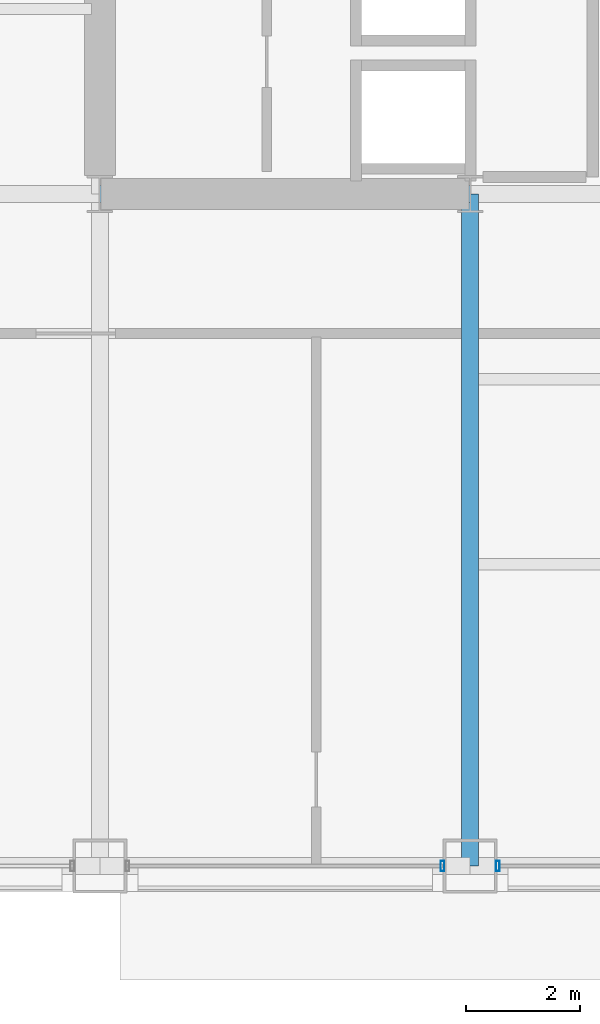
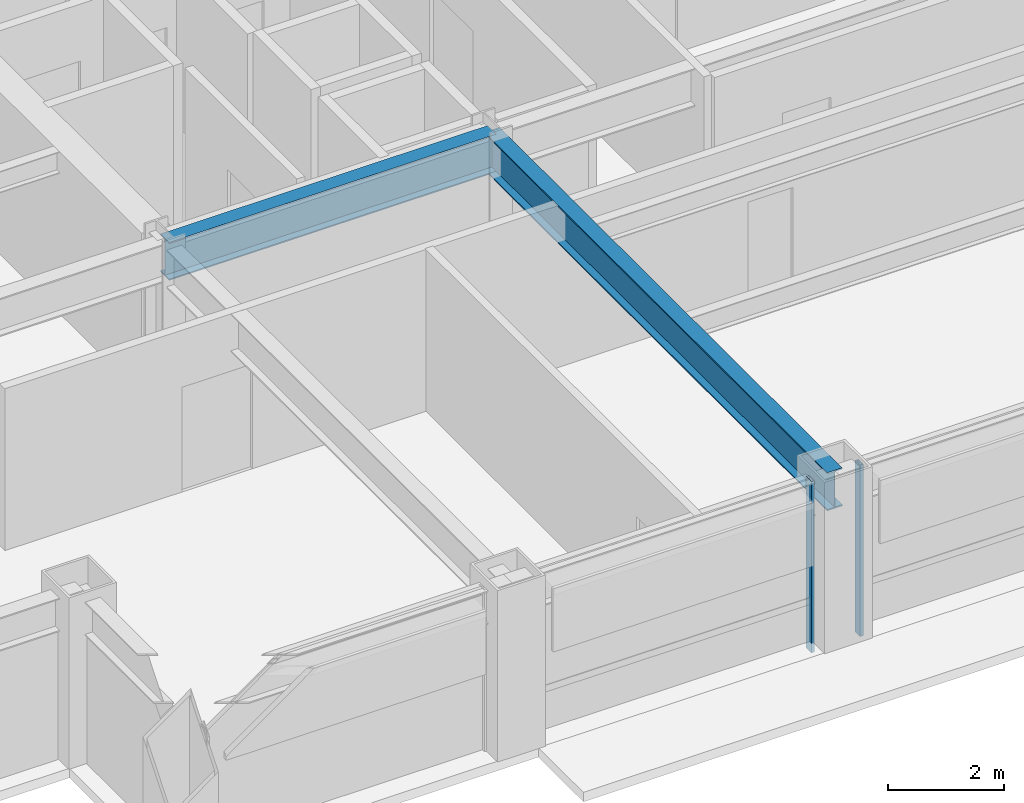
# One storey, part 5 of 28: 2 beams, 2 members, 2 elements without a shape of their own.
"""IFC4 building model written with IfcOpenShell, lengths in metres."""

import ifcopenshell
import ifcopenshell.guid

model = None  # the IFC model being written
_history = None  # IfcOwnerHistory: only IFC2X3 demands one
_inside = {}  # id of a spatial element -> (the spatial element, [elements in it])
_under = {}  # id of a project, library or spatial element -> (it, [spatial elements below it])
_declared = {}  # id of a project -> (the project, [libraries it declares])
_typed = {}  # id of a type object -> (the type object, [elements of that type])
_made_of = {}  # id of a material, layer set ... -> (it, [elements and type objects made of it])


def new_model(schema):
    """Start an empty IFC model of exactly this schema.

    Asked for "IFC4X3", IfcOpenShell would pick the latest addendum, in which some entities
    have other attributes; the version numbers below select the first issue.
    IFC2X3 requires an IfcOwnerHistory on every rooted entity: one is made here for all.
    """
    global model, _history
    if schema == "IFC4X3":
        model = ifcopenshell.file(schema_version=(4, 3, 0, 0))
    else:
        model = ifcopenshell.file(schema=schema)
    _inside.clear()
    _under.clear()
    _declared.clear()
    _typed.clear()
    _made_of.clear()
    _history = None
    if model.schema == "IFC2X3":
        org = make("IfcOrganization", Name="unknown")
        user = make(
            "IfcPersonAndOrganization",
            ThePerson=make("IfcPerson", FamilyName="unknown"),
            TheOrganization=org,
        )
        app = make(
            "IfcApplication",
            ApplicationDeveloper=org,
            Version="unknown",
            ApplicationFullName="unknown",
            ApplicationIdentifier="unknown",
        )
        _history = make(
            "IfcOwnerHistory",
            OwningUser=user,
            OwningApplication=app,
            ChangeAction="ADDED",
            CreationDate=0,
        )
    return model


def make(cls, **values):
    """One entity of the class cls with the attributes given. An attribute that is None is left unset."""
    return model.create_entity(
        cls, **{name: value for name, value in values.items() if value is not None}
    )


def rooted(cls, **values):
    """An entity with a GlobalId (a new one), such as an element, a storey or a relation."""
    return make(cls, GlobalId=ifcopenshell.guid.new(), OwnerHistory=_history, **values)


def si_unit(unit_type, name, prefix=None):
    """IfcSIUnit, for example si_unit("LENGTHUNIT", "METRE", prefix="MILLI")."""
    return make("IfcSIUnit", UnitType=unit_type, Prefix=prefix, Name=name)


def assignment(units):
    """IfcUnitAssignment: the units of a project."""
    return None if units is None else make("IfcUnitAssignment", Units=units)


def point(xyz):
    """IfcCartesianPoint."""
    return None if xyz is None else make("IfcCartesianPoint", Coordinates=xyz)


def direction(xyz):
    """IfcDirection."""
    return None if xyz is None else make("IfcDirection", DirectionRatios=xyz)


def frame(location, z_axis=None, x_axis=None):
    """IfcAxis2Placement3D, a coordinate frame: its origin and axes. An axis left out is left unset."""
    return make(
        "IfcAxis2Placement3D",
        Location=point(location),
        Axis=direction(z_axis),
        RefDirection=direction(x_axis),
    )


def frame_2d(location, x_axis=None):
    """IfcAxis2Placement2D, a coordinate frame in the plane: its origin and x axis."""
    return make(
        "IfcAxis2Placement2D", Location=point(location), RefDirection=direction(x_axis)
    )


def origin():
    """The frame at (0, 0, 0) with its axes left unset."""
    return frame((0.0, 0.0, 0.0))


def origin_2d():
    """The frame at (0, 0) in the plane with its x axis left unset."""
    return frame_2d((0.0, 0.0))


def place(relative_to, where):
    """IfcLocalPlacement: puts the frame where relative to a parent placement (None: the world)."""
    return make(
        "IfcLocalPlacement", PlacementRelTo=relative_to, RelativePlacement=where
    )


def context(
    kind, dimensions, precision=None, world=None, true_north=None, identifier=None
):
    """IfcGeometricRepresentationContext, for example the 3D "Model" context."""
    return make(
        "IfcGeometricRepresentationContext",
        ContextIdentifier=identifier,
        ContextType=kind,
        CoordinateSpaceDimension=dimensions,
        Precision=precision,
        WorldCoordinateSystem=world,
        TrueNorth=true_north,
    )


def subcontext(parent, identifier, kind, view, scale=None):
    """IfcGeometricRepresentationSubContext, for example "Body" below "Model"."""
    return make(
        "IfcGeometricRepresentationSubContext",
        ContextIdentifier=identifier,
        ContextType=kind,
        ParentContext=parent,
        TargetScale=scale,
        TargetView=view,
    )


def project(units=None, contexts=None):
    """IfcProject with its units and contexts."""
    return rooted(
        "IfcProject",
        Name="project",
        RepresentationContexts=contexts,
        UnitsInContext=assignment(units),
    )


def spatial(cls, under=None, at=None, **own):
    """A site, building, storey or space (cls), placed at a placement, below another one or the project."""
    s = rooted(cls, ObjectPlacement=at, **own)
    if under is not None:
        _under.setdefault(under.id(), (under, []))[1].append(s)
    return s


def profile(cls, at=None, kind="AREA", **sizes):
    """A parametric profile (cls). Its sizes go by their IFC names, for example OverallWidth=200.0."""
    return make(cls, ProfileType=kind, Position=at, **sizes)


def hollow_rectangle(**sizes):
    """IfcRectangleHollowProfileDef."""
    return profile("IfcRectangleHollowProfileDef", **sizes)


def i_section(**sizes):
    """IfcIShapeProfileDef."""
    return profile("IfcIShapeProfileDef", **sizes)


def extrude(swept, where, along, depth):
    """IfcExtrudedAreaSolid: the profile swept, set in the frame where, extruded along a direction by depth."""
    return make(
        "IfcExtrudedAreaSolid",
        SweptArea=swept,
        Position=where,
        ExtrudedDirection=direction(along),
        Depth=depth,
    )


def shape(context_of_items, identifier, shape_type, items):
    """IfcShapeRepresentation: the items that make up one representation, for example the "Body"."""
    return make(
        "IfcShapeRepresentation",
        ContextOfItems=context_of_items,
        RepresentationIdentifier=identifier,
        RepresentationType=shape_type,
        Items=items,
    )


def material(Name=None, Category=None):
    """IfcMaterial."""
    return make("IfcMaterial", Name=Name, Category=Category)


def layer(
    of_material, thickness, ventilated=None, Name=None, Category=None, Priority=None
):
    """IfcMaterialLayer: one layer of a wall or slab, of a material (None: an air gap)."""
    return make(
        "IfcMaterialLayer",
        Material=of_material,
        LayerThickness=thickness,
        IsVentilated=ventilated,
        Name=Name,
        Category=Category,
        Priority=Priority,
    )


def layer_set(layers, Name=None):
    """IfcMaterialLayerSet."""
    return make("IfcMaterialLayerSet", MaterialLayers=layers, LayerSetName=Name)


def material_profile(
    of_material, cross_section, Name=None, Category=None, Priority=None
):
    """IfcMaterialProfile: a cross section and its material."""
    return make(
        "IfcMaterialProfile",
        Name=Name,
        Material=of_material,
        Profile=cross_section,
        Priority=Priority,
        Category=Category,
    )


def profile_set(profiles, Name=None, composite=None):
    """IfcMaterialProfileSet."""
    return make(
        "IfcMaterialProfileSet",
        Name=Name,
        MaterialProfiles=profiles,
        CompositeProfile=composite,
    )


def made_of(thing, what):
    """Note that an element or type object is made of a material, layer set ...; save() writes the relation."""
    if what is not None:
        _made_of.setdefault(what.id(), (what, []))[1].append(thing)
    return thing


def type_object(cls, material=None, **own):
    """A type object (cls), such as IfcWallType, which elements share."""
    return made_of(rooted(cls, **own), material)


def element(
    cls,
    number,
    at=None,
    inside=None,
    cuts=None,
    type_object=None,
    material=None,
    context=None,
    identifier="Body",
    shape_type=None,
    held_by="IfcProductDefinitionShape",
    body=None,
    shapes=None,
    **own,
):
    """One element of the class cls, such as IfcWall. Its Tag is "e" and its number.

    at: its placement. inside: the storey or other place that contains it. cuts: it is an
    opening in that element (IfcRelVoidsElement). A single representation is given by context,
    identifier, shape_type and body (its items); several are given by shapes. held_by: the class
    of the entity that holds the representations. save() writes the other relations.
    """
    e = rooted(cls, Tag="e%d" % number, ObjectPlacement=at, **own)
    if body is not None:
        shapes = [shape(context, identifier, shape_type, body)]
    if shapes is not None:
        e.Representation = make(held_by, Representations=shapes)
    if inside is not None:
        _inside.setdefault(inside.id(), (inside, []))[1].append(e)
    if cuts is not None:
        rooted(
            "IfcRelVoidsElement", RelatingBuildingElement=cuts, RelatedOpeningElement=e
        )
    if type_object is not None:
        _typed.setdefault(type_object.id(), (type_object, []))[1].append(e)
    return made_of(e, material)


def aggregate(whole, parts):
    """IfcRelAggregates: a whole, such as a stair, and the parts it consists of."""
    return rooted("IfcRelAggregates", RelatingObject=whole, RelatedObjects=parts)


def save(model, path):
    """Write the relations noted so far, then the file.

    IfcRelAggregates (storeys below a building ...), IfcRelContainedInSpatialStructure (elements
    in a storey), IfcRelDefinesByType, IfcRelAssociatesMaterial and IfcRelDeclares: one each for
    every whole, place, type object, material and project.
    """
    for whole, parts in _under.values():
        aggregate(whole, parts)
    for where, things in _inside.values():
        rooted(
            "IfcRelContainedInSpatialStructure",
            RelatedElements=things,
            RelatingStructure=where,
        )
    for kind, things in _typed.values():
        rooted("IfcRelDefinesByType", RelatedObjects=things, RelatingType=kind)
    for what, things in _made_of.values():
        rooted("IfcRelAssociatesMaterial", RelatedObjects=things, RelatingMaterial=what)
    for by, libraries in _declared.values():
        rooted("IfcRelDeclares", RelatingContext=by, RelatedDefinitions=libraries)
    model.write(path)


model = new_model("IFC4")

# Units and contexts
model_context = context("Model", 3, precision=1e-05, world=origin(), true_north=direction((0.0, 1.0)))
body_context = subcontext(model_context, "Body", "Model", "MODEL_VIEW")
ifc_project = project(units=[si_unit("LENGTHUNIT", "METRE"), si_unit("AREAUNIT", "SQUARE_METRE"), si_unit("VOLUMEUNIT", "CUBIC_METRE"), si_unit("PLANEANGLEUNIT", "RADIAN"), si_unit("MASSUNIT", "GRAM", prefix="KILO")], contexts=[model_context])

# Site, building, storey
site_placement = place(None, origin())
site = spatial("IfcSite", under=ifc_project, at=site_placement, CompositionType="ELEMENT")
building_placement = place(site_placement, origin())
building = spatial("IfcBuilding", under=site, at=building_placement, Name="Brelmoor Portico Tower", CompositionType="ELEMENT")
storey_placement = place(building_placement, frame((0.0, 0.0, 49.199951171875)))
storey = spatial("IfcBuildingStorey", under=building, at=storey_placement, Name="L12", CompositionType="ELEMENT", Elevation=49.199951171875)

# Beams
ifc_material_1 = material(Name="Steel Q355B", Category="steel")
ifc_material_profile_1 = material_profile(ifc_material_1, i_section(OverallWidth=0.300048828125, OverallDepth=0.800048828125, WebThickness=0.013916015625, FlangeThickness=0.02587890625, at=origin_2d()), Name="HN 800x300x14x26")
ifc_profile_set_1 = profile_set([ifc_material_profile_1], Name="Steel Q355B")
beam_type = type_object("IfcBeamType", Name="BM-PG-800", PredefinedType="BEAM", material=ifc_profile_set_1)
beam_1_placement = place(storey_placement, frame((-8.050048828125, -21.550048828125, 3.0), z_axis=(0.0, 1.0, 0.0), x_axis=(-1.0, 0.0, 0.0)))
element("IfcBeam", 1, at=beam_1_placement, inside=storey, type_object=beam_type, Name="L12 Primary Floor Girder PG-07", PredefinedType="BEAM", context=body_context, shape_type="SweptSolid", body=[
    extrude(i_section(OverallWidth=0.300048828125, OverallDepth=0.800048828125, WebThickness=0.013916015625, FlangeThickness=0.02587890625, at=origin_2d()), origin(), (0.0, 0.0, 1.0), 11.800048828125),
])
beam_2_placement = place(storey_placement, frame((-14.550048828125, -9.75, 3.0), z_axis=(1.0, 0.0, 0.0), x_axis=(0.0, 1.0, 0.0)))
element("IfcBeam", 2, at=beam_2_placement, inside=storey, type_object=beam_type, Name="L12 Primary Floor Girder PG-20", PredefinedType="BEAM", context=body_context, shape_type="SweptSolid", body=[
    extrude(i_section(OverallWidth=0.300048828125, OverallDepth=0.800048828125, WebThickness=0.013916015625, FlangeThickness=0.02587890625, at=origin_2d()), origin(), (0.0, 0.0, 1.0), 6.5),
])

# Curtain wall, member
ifc_material_2 = material(Name="Anodised Aluminium Alloy 6063-T6", Category="aluminium")
ifc_layer = layer(ifc_material_2, 0.179931640625)
ifc_layer_set = layer_set([ifc_layer], Name="Anodised Aluminium Alloy 6063-T6")
curtain_wall_type = type_object("IfcCurtainWallType", Name="CW-TOWER-Z1", PredefinedType="NOTDEFINED", material=ifc_layer_set)
curtain_wall_1_placement = place(storey_placement, origin())
curtain_wall_1 = element("IfcCurtainWall", 3, at=curtain_wall_1_placement, inside=storey, type_object=curtain_wall_type, Name="L12 Curtain Wall CW-L12-01-2", PredefinedType="NOTDEFINED")
ifc_material_profile_2 = material_profile(ifc_material_2, hollow_rectangle(XDim=0.06494140625, YDim=0.179931640625, WallThickness=0.00390625, at=origin_2d()), Name="ALU MULLION 65x180")
ifc_profile_set_2 = profile_set([ifc_material_profile_2], Name="Anodised Aluminium Alloy 6063-T6")
member_type = type_object("IfcMemberType", Name="MB-CW-MULL-180", PredefinedType="MULLION", material=ifc_profile_set_2)
member_1_placement = place(storey_placement, frame((-8.534912109375, -21.550048828125, -0.199951171875), z_axis=(0.0, 0.0, 1.0), x_axis=(1.0, 0.0, 0.0)))
member_1 = element("IfcMember", 4, at=member_1_placement, type_object=member_type, Name="CW-L12-01-2 Mullion 01", PredefinedType="MULLION", context=body_context, shape_type="SweptSolid", body=[
    extrude(hollow_rectangle(XDim=0.06494140625, YDim=0.179931640625, WallThickness=0.00390625, at=origin_2d()), origin(), (0.0, 0.0, 1.0), 3.60009765625),
])
aggregate(curtain_wall_1, [member_1])

curtain_wall_2_placement = place(storey_placement, origin())
curtain_wall_2 = element("IfcCurtainWall", 5, at=curtain_wall_2_placement, inside=storey, type_object=curtain_wall_type, Name="L12 Curtain Wall CW-L12-01-3", PredefinedType="NOTDEFINED")
member_2_placement = place(storey_placement, frame((-7.56494140625, -21.550048828125, -0.199951171875), z_axis=(0.0, 0.0, 1.0), x_axis=(1.0, 0.0, 0.0)))
member_2 = element("IfcMember", 6, at=member_2_placement, type_object=member_type, Name="CW-L12-01-3 Mullion 00", PredefinedType="MULLION", context=body_context, shape_type="SweptSolid", body=[
    extrude(hollow_rectangle(XDim=0.06494140625, YDim=0.179931640625, WallThickness=0.00390625, at=origin_2d()), origin(), (0.0, 0.0, 1.0), 3.60009765625),
])
aggregate(curtain_wall_2, [member_2])

save(model, "model.ifc")
